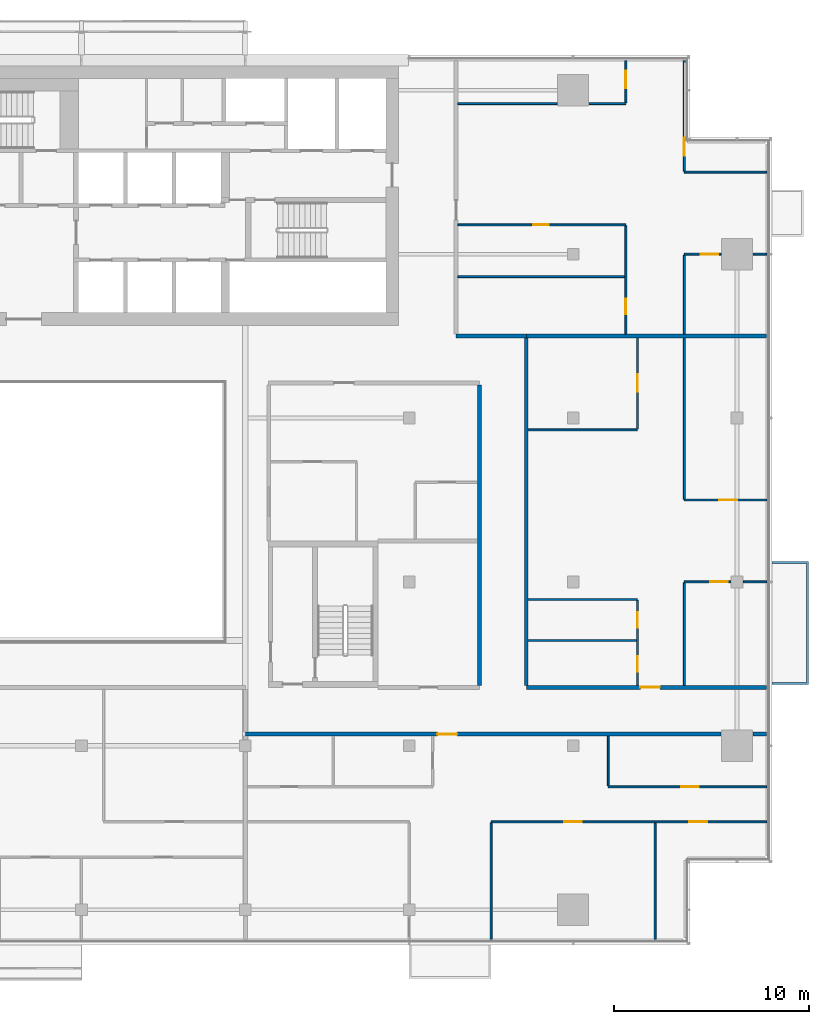
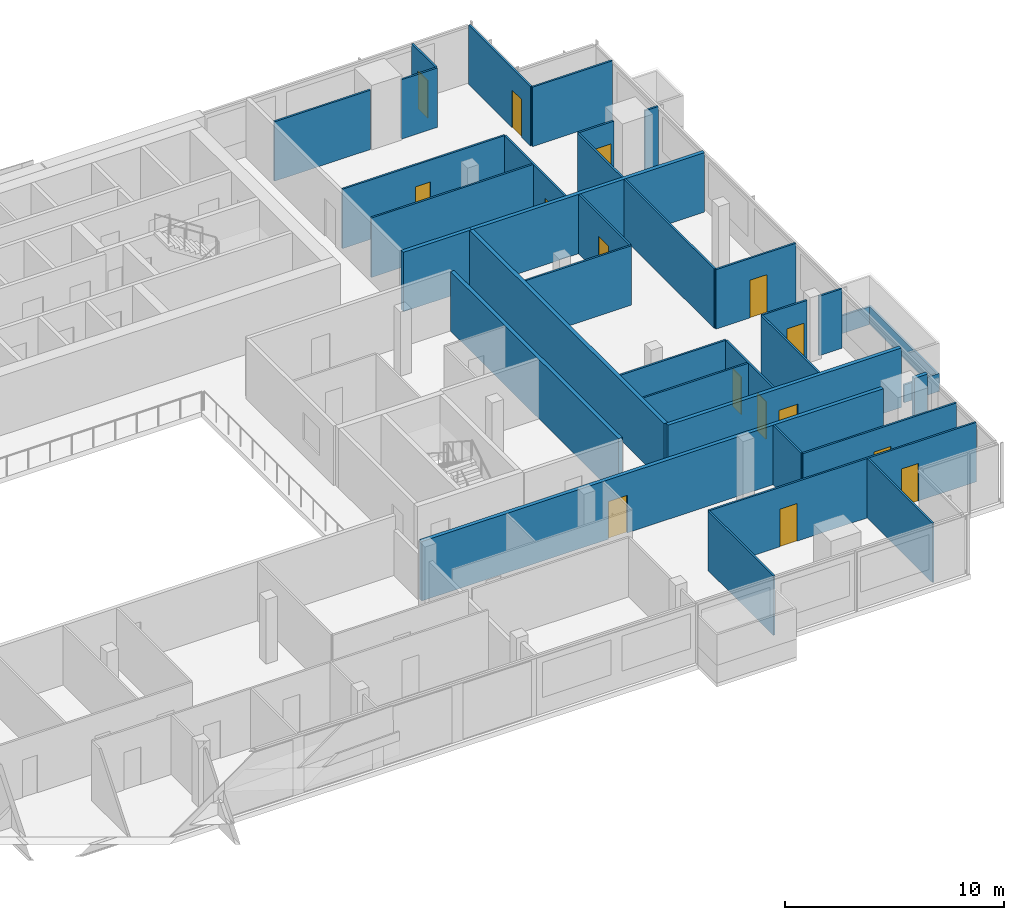
# One storey, part 23 of 26: 34 walls, 15 doors, 15 openings.
"""IFC4 building model written with IfcOpenShell, lengths in metres."""

from ifc_helpers import new_model, si_unit, direction, frame, frame_2d, origin, place, context, subcontext, project, spatial, polyline, rectangle, outline, extrude, material, layer, layer_set, type_object, element, fill, save


model = new_model("IFC4")

# Units and contexts
model_context = context("Model", 3, precision=1e-05, world=origin(), true_north=direction((0.0, 1.0)))
body_context = subcontext(model_context, "Body", "Model", "MODEL_VIEW")
ifc_project = project(units=[si_unit("LENGTHUNIT", "METRE"), si_unit("AREAUNIT", "SQUARE_METRE"), si_unit("VOLUMEUNIT", "CUBIC_METRE"), si_unit("PLANEANGLEUNIT", "RADIAN"), si_unit("MASSUNIT", "GRAM", prefix="KILO")], contexts=[model_context])

# Site, building, storey
site_placement = place(None, origin())
site = spatial("IfcSite", under=ifc_project, at=site_placement, CompositionType="ELEMENT")
building_placement = place(site_placement, origin())
building = spatial("IfcBuilding", under=site, at=building_placement, Name="Saffron Gate Tower", CompositionType="ELEMENT")
storey_placement = place(building_placement, frame((0.0, 0.0, 230.699951171875)))
storey = spatial("IfcBuildingStorey", under=building, at=storey_placement, Name="L56", CompositionType="ELEMENT", Elevation=230.699951171875)

# Wall, openings, doors
ifc_material_1 = material(Name="Plasterboard on steel studs", Category="steel")
ifc_layer_1 = layer(ifc_material_1, 0.10009765625)
ifc_layer_set_1 = layer_set([ifc_layer_1], Name="PW1 Partition 100")
wall_type_1 = type_object("IfcWallType", Name="PW1 Partition 100", PredefinedType="PARTITIONING", material=ifc_layer_set_1)
wall_1_placement = place(storey_placement, frame((126.919921875, 36.300048828125, 0.0), z_axis=(0.0, 0.0, 1.0), x_axis=(-1.0, 0.0, 0.0)))
wall_1 = element("IfcWall", 1, at=wall_1_placement, inside=storey, type_object=wall_type_1, Name="Partition D3-5", PredefinedType="PARTITIONING", context=body_context, shape_type="SweptSolid", body=[
    extrude(rectangle(XDim=14.119873046875, YDim=0.10009765625, at=frame_2d((7.06005859375, 0.0))), origin(), (0.0, 0.0, 1.0), 3.320068359375),
])
opening_1_placement = place(wall_1_placement, frame((3.0576171875, 0.0, 0.0)))
opening_1 = element("IfcOpeningElement", 2, at=opening_1_placement, cuts=wall_1, Name="Opening D3-23", PredefinedType="OPENING", context=body_context, shape_type="SweptSolid", body=[
    extrude(rectangle(XDim=0.89990234375, YDim=2.10009765625, at=frame_2d((0.449951171875, 1.050048828125))), frame((0.0, 0.06005859375, 0.0), z_axis=(0.0, -1.0, 0.0), x_axis=(1.0, 0.0, 0.0)), (0.0, 0.0, 1.0), 0.1201171875),
])
opening_2_placement = place(wall_1_placement, frame((9.469970703125, 0.0, 0.0)))
opening_2 = element("IfcOpeningElement", 3, at=opening_2_placement, cuts=wall_1, Name="Opening D3-22", PredefinedType="OPENING", context=body_context, shape_type="SweptSolid", body=[
    extrude(rectangle(XDim=0.89990234375, YDim=2.10009765625, at=frame_2d((0.449951171875, 1.050048828125))), frame((0.0, 0.06005859375, 0.0), z_axis=(0.0, -1.0, 0.0), x_axis=(1.0, 0.0, 0.0)), (0.0, 0.0, 1.0), 0.1201171875),
])
ifc_material_2 = material(Name="Timber door set", Category="wood")
door_type_1 = type_object("IfcDoorType", Name="RD1 Room door 900x2100", OperationType="NOTDEFINED", PredefinedType="DOOR", material=ifc_material_2)
door_1_placement = place(opening_1_placement, origin())
door_1 = element("IfcDoor", 4, at=door_1_placement, inside=storey, type_object=door_type_1, Name="Door D3-23", OperationType="SINGLE_SWING_RIGHT", OverallHeight=2.10009765625, OverallWidth=0.89990234375, PredefinedType="DOOR", context=body_context, shape_type="SweptSolid", body=[
    extrude(rectangle(XDim=0.89990234375, YDim=2.10009765625, at=frame_2d((0.449951171875, 1.050048828125))), frame((0.0, 0.02490234375, 0.0), z_axis=(0.0, -1.0, 0.0), x_axis=(1.0, 0.0, 0.0)), (0.0, 0.0, 1.0), 0.050048828125),
])
fill(opening_1, door_1)
door_2_placement = place(opening_2_placement, origin())
door_2 = element("IfcDoor", 5, at=door_2_placement, inside=storey, type_object=door_type_1, Name="Door D3-22", OperationType="SINGLE_SWING_RIGHT", OverallHeight=2.10009765625, OverallWidth=0.89990234375, PredefinedType="DOOR", context=body_context, shape_type="SweptSolid", body=[
    extrude(rectangle(XDim=0.89990234375, YDim=2.10009765625, at=frame_2d((0.449951171875, 1.050048828125))), frame((0.0, 0.02490234375, 0.0), z_axis=(0.0, -1.0, 0.0), x_axis=(1.0, 0.0, 0.0)), (0.0, 0.0, 1.0), 0.050048828125),
])
fill(opening_2, door_2)

# Wall, opening, door
wall_2_placement = place(storey_placement, frame((118.800048828125, 38.10009765625, 0.0), z_axis=(0.0, 0.0, 1.0), x_axis=(1.0, 0.0, 0.0)))
wall_2 = element("IfcWall", 6, at=wall_2_placement, inside=storey, type_object=wall_type_1, Name="Partition D3-7", PredefinedType="PARTITIONING", context=body_context, shape_type="SweptSolid", body=[
    extrude(rectangle(XDim=8.119873046875, YDim=0.10009765625, at=frame_2d((4.06005859375, 0.0))), origin(), (0.0, 0.0, 1.0), 3.320068359375),
])
opening_3_placement = place(wall_2_placement, frame((3.75, 0.0, 0.0)))
opening_3 = element("IfcOpeningElement", 7, at=opening_3_placement, cuts=wall_2, Name="Opening D3-24", PredefinedType="OPENING", context=body_context, shape_type="SweptSolid", body=[
    extrude(rectangle(XDim=0.89990234375, YDim=2.10009765625, at=frame_2d((0.449951171875, 1.050048828125))), frame((0.0, 0.06005859375, 0.0), z_axis=(0.0, -1.0, 0.0), x_axis=(1.0, 0.0, 0.0)), (0.0, 0.0, 1.0), 0.1201171875),
])
door_3_placement = place(opening_3_placement, origin())
door_3 = element("IfcDoor", 8, at=door_3_placement, inside=storey, type_object=door_type_1, Name="Door D3-24", OperationType="SINGLE_SWING_RIGHT", OverallHeight=2.10009765625, OverallWidth=0.89990234375, PredefinedType="DOOR", context=body_context, shape_type="SweptSolid", body=[
    extrude(rectangle(XDim=0.89990234375, YDim=2.10009765625, at=frame_2d((0.449951171875, 1.050048828125))), frame((0.0, 0.02490234375, 0.0), z_axis=(0.0, -1.0, 0.0), x_axis=(1.0, 0.0, 0.0)), (0.0, 0.0, 1.0), 0.050048828125),
])
fill(opening_3, door_3)

# Walls
wall_3_placement = place(storey_placement, frame((114.699951171875, 45.60009765625, 0.0), z_axis=(0.0, 0.0, 1.0), x_axis=(1.0, 0.0, 0.0)))
element("IfcWall", 9, at=wall_3_placement, inside=storey, type_object=wall_type_1, Name="Partition D3-17", PredefinedType="PARTITIONING", context=body_context, shape_type="SweptSolid", body=[
    extrude(rectangle(XDim=5.550048828125, YDim=0.10009765625, at=frame_2d((2.77490234375, 0.0))), origin(), (0.0, 0.0, 1.0), 3.320068359375),
])
wall_4_placement = place(storey_placement, frame((114.699951171875, 47.699951171875, 0.0), z_axis=(0.0, 0.0, 1.0), x_axis=(1.0, 0.0, 0.0)))
element("IfcWall", 10, at=wall_4_placement, inside=storey, type_object=wall_type_1, Name="Partition D3-18", PredefinedType="PARTITIONING", context=body_context, shape_type="SweptSolid", body=[
    extrude(rectangle(XDim=5.60009765625, YDim=0.10009765625, at=frame_2d((2.800048828125, 0.0))), origin(), (0.0, 0.0, 1.0), 3.320068359375),
])

# Wall, opening, door
wall_5_placement = place(storey_placement, frame((125.080078125, 48.60009765625, 0.0), z_axis=(0.0, 0.0, 1.0), x_axis=(-1.0, 0.0, 0.0)))
wall_5 = element("IfcWall", 11, at=wall_5_placement, inside=storey, type_object=wall_type_1, Name="Partition D3-21", PredefinedType="PARTITIONING", context=body_context, shape_type="SweptSolid", body=[
    extrude(rectangle(XDim=2.380126953125, YDim=0.10009765625, at=frame_2d((1.18994140625, 0.0))), origin(), (0.0, 0.0, 1.0), 3.320068359375),
])
opening_4_placement = place(wall_5_placement, frame((0.14990234375, 0.0, 0.0)))
opening_4 = element("IfcOpeningElement", 12, at=opening_4_placement, cuts=wall_5, Name="Opening D3-31", PredefinedType="OPENING", context=body_context, shape_type="SweptSolid", body=[
    extrude(rectangle(XDim=0.89990234375, YDim=2.10009765625, at=frame_2d((0.449951171875, 1.050048828125))), frame((0.0, 0.06005859375, 0.0), z_axis=(0.0, -1.0, 0.0), x_axis=(1.0, 0.0, 0.0)), (0.0, 0.0, 1.0), 0.1201171875),
])
door_4_placement = place(opening_4_placement, origin())
door_4 = element("IfcDoor", 13, at=door_4_placement, inside=storey, type_object=door_type_1, Name="Door D3-31", OperationType="SINGLE_SWING_LEFT", OverallHeight=2.10009765625, OverallWidth=0.89990234375, PredefinedType="DOOR", context=body_context, shape_type="SweptSolid", body=[
    extrude(rectangle(XDim=0.89990234375, YDim=2.10009765625, at=frame_2d((0.449951171875, 1.050048828125))), frame((0.0, 0.02490234375, 0.0), z_axis=(0.0, -1.0, 0.0), x_axis=(1.0, 0.0, 0.0)), (0.0, 0.0, 1.0), 0.050048828125),
])
fill(opening_4, door_4)

# Wall
wall_6_placement = place(storey_placement, frame((125.719970703125, 48.60009765625, 0.0), z_axis=(0.0, 0.0, 1.0), x_axis=(1.0, 0.0, 0.0)))
element("IfcWall", 14, at=wall_6_placement, inside=storey, type_object=wall_type_1, Name="Partition D3-22", PredefinedType="PARTITIONING", context=body_context, shape_type="SweptSolid", body=[
    extrude(rectangle(XDim=1.199951171875, YDim=0.10009765625, at=frame_2d((0.60009765625, 0.0))), origin(), (0.0, 0.0, 1.0), 3.320068359375),
])

# Wall, opening, door
wall_7_placement = place(storey_placement, frame((122.699951171875, 52.800048828125, 0.0), z_axis=(0.0, 0.0, 1.0), x_axis=(1.0, 0.0, 0.0)))
wall_7 = element("IfcWall", 15, at=wall_7_placement, inside=storey, type_object=wall_type_1, Name="Partition D3-28", PredefinedType="PARTITIONING", context=body_context, shape_type="SweptSolid", body=[
    extrude(rectangle(XDim=4.219970703125, YDim=0.10009765625, at=frame_2d((2.10986328125, 0.0))), origin(), (0.0, 0.0, 1.0), 3.320068359375),
])
opening_5_placement = place(wall_7_placement, frame((1.800048828125, 0.0, 0.0)))
opening_5 = element("IfcOpeningElement", 16, at=opening_5_placement, cuts=wall_7, Name="Opening D3-32", PredefinedType="OPENING", context=body_context, shape_type="SweptSolid", body=[
    extrude(rectangle(XDim=0.89990234375, YDim=2.10009765625, at=frame_2d((0.449951171875, 1.050048828125))), frame((0.0, 0.06005859375, 0.0), z_axis=(0.0, -1.0, 0.0), x_axis=(1.0, 0.0, 0.0)), (0.0, 0.0, 1.0), 0.1201171875),
])
door_5_placement = place(opening_5_placement, origin())
door_5 = element("IfcDoor", 17, at=door_5_placement, inside=storey, type_object=door_type_1, Name="Door D3-32", OperationType="SINGLE_SWING_RIGHT", OverallHeight=2.10009765625, OverallWidth=0.89990234375, PredefinedType="DOOR", context=body_context, shape_type="SweptSolid", body=[
    extrude(rectangle(XDim=0.89990234375, YDim=2.10009765625, at=frame_2d((0.449951171875, 1.050048828125))), frame((0.0, 0.02490234375, 0.0), z_axis=(0.0, -1.0, 0.0), x_axis=(1.0, 0.0, 0.0)), (0.0, 0.0, 1.0), 0.050048828125),
])
fill(opening_5, door_5)

# Walls
wall_8_placement = place(storey_placement, frame((114.699951171875, 56.39306640625, 0.0), z_axis=(0.0, 0.0, 1.0), x_axis=(1.0, 0.0, 0.0)))
element("IfcWall", 18, at=wall_8_placement, inside=storey, type_object=wall_type_1, Name="Partition D3-34", PredefinedType="PARTITIONING", context=body_context, shape_type="SweptSolid", body=[
    extrude(rectangle(XDim=5.60009765625, YDim=0.10009765625, at=frame_2d((2.800048828125, 0.0))), origin(), (0.0, 0.0, 1.0), 3.320068359375),
])
wall_9_placement = place(storey_placement, frame((111.10009765625, 64.24609375, 0.0), z_axis=(0.0, 0.0, 1.0), x_axis=(1.0, 0.0, 0.0)))
element("IfcWall", 19, at=wall_9_placement, inside=storey, type_object=wall_type_1, Name="Partition D3-42", PredefinedType="PARTITIONING", context=body_context, shape_type="SweptSolid", body=[
    extrude(rectangle(XDim=8.5498046875, YDim=0.10009765625, at=frame_2d((4.27490234375, 0.0))), origin(), (0.0, 0.0, 1.0), 3.320068359375),
])

# Wall, opening, door
wall_10_placement = place(storey_placement, frame((124.580078125, 65.39990234375, 0.0), z_axis=(0.0, 0.0, 1.0), x_axis=(-1.0, 0.0, 0.0)))
wall_10 = element("IfcWall", 20, at=wall_10_placement, inside=storey, type_object=wall_type_1, Name="Partition D3-43", PredefinedType="PARTITIONING", context=body_context, shape_type="SweptSolid", body=[
    extrude(rectangle(XDim=1.880126953125, YDim=0.10009765625, at=frame_2d((0.93994140625, 0.0))), origin(), (0.0, 0.0, 1.0), 3.320068359375),
])
opening_6_placement = place(wall_10_placement, frame((0.14990234375, 0.0, 0.0)))
opening_6 = element("IfcOpeningElement", 21, at=opening_6_placement, cuts=wall_10, Name="Opening D3-34", PredefinedType="OPENING", context=body_context, shape_type="SweptSolid", body=[
    extrude(rectangle(XDim=0.89990234375, YDim=2.10009765625, at=frame_2d((0.449951171875, 1.050048828125))), frame((0.0, 0.06005859375, 0.0), z_axis=(0.0, -1.0, 0.0), x_axis=(1.0, 0.0, 0.0)), (0.0, 0.0, 1.0), 0.1201171875),
])
door_6_placement = place(opening_6_placement, origin())
door_6 = element("IfcDoor", 22, at=door_6_placement, inside=storey, type_object=door_type_1, Name="Door D3-34", OperationType="SINGLE_SWING_LEFT", OverallHeight=2.10009765625, OverallWidth=0.89990234375, PredefinedType="DOOR", context=body_context, shape_type="SweptSolid", body=[
    extrude(rectangle(XDim=0.89990234375, YDim=2.10009765625, at=frame_2d((0.449951171875, 1.050048828125))), frame((0.0, 0.02490234375, 0.0), z_axis=(0.0, -1.0, 0.0), x_axis=(1.0, 0.0, 0.0)), (0.0, 0.0, 1.0), 0.050048828125),
])
fill(opening_6, door_6)

# Wall
wall_11_placement = place(storey_placement, frame((126.219970703125, 65.39990234375, 0.0), z_axis=(0.0, 0.0, 1.0), x_axis=(1.0, 0.0, 0.0)))
element("IfcWall", 23, at=wall_11_placement, inside=storey, type_object=wall_type_1, Name="Partition D3-44", PredefinedType="PARTITIONING", context=body_context, shape_type="SweptSolid", body=[
    extrude(rectangle(XDim=0.699951171875, YDim=0.10009765625, at=frame_2d((0.35009765625, 0.0))), origin(), (0.0, 0.0, 1.0), 3.320068359375),
])

# Wall, opening, door
wall_12_placement = place(storey_placement, frame((119.699951171875, 66.89990234375, 0.0), z_axis=(0.0, 0.0, 1.0), x_axis=(-1.0, 0.0, 0.0)))
wall_12 = element("IfcWall", 24, at=wall_12_placement, inside=storey, type_object=wall_type_1, Name="Partition D3-46", PredefinedType="PARTITIONING", context=body_context, shape_type="SweptSolid", body=[
    extrude(rectangle(XDim=8.599853515625, YDim=0.10009765625, at=frame_2d((4.2998046875, 0.0))), origin(), (0.0, 0.0, 1.0), 3.320068359375),
])
opening_7_placement = place(wall_12_placement, frame((3.949951171875, 0.0, 0.0)))
opening_7 = element("IfcOpeningElement", 25, at=opening_7_placement, cuts=wall_12, Name="Opening D3-51", PredefinedType="OPENING", context=body_context, shape_type="SweptSolid", body=[
    extrude(rectangle(XDim=0.800048828125, YDim=2.10009765625, at=frame_2d((0.39990234375, 1.050048828125))), frame((0.0, 0.06005859375, 0.0), z_axis=(0.0, -1.0, 0.0), x_axis=(1.0, 0.0, 0.0)), (0.0, 0.0, 1.0), 0.1201171875),
])
door_type_2 = type_object("IfcDoorType", Name="RD2 Bathroom door 800x2100", OperationType="NOTDEFINED", PredefinedType="DOOR", material=ifc_material_2)
door_7_placement = place(opening_7_placement, origin())
door_7 = element("IfcDoor", 26, at=door_7_placement, inside=storey, type_object=door_type_2, Name="Door D3-51", OperationType="SINGLE_SWING_RIGHT", OverallHeight=2.10009765625, OverallWidth=0.800048828125, PredefinedType="DOOR", context=body_context, shape_type="SweptSolid", body=[
    extrude(rectangle(XDim=0.800048828125, YDim=2.10009765625, at=frame_2d((0.39990234375, 1.050048828125))), frame((0.0, 0.02490234375, 0.0), z_axis=(0.0, -1.0, 0.0), x_axis=(1.0, 0.0, 0.0)), (0.0, 0.0, 1.0), 0.050048828125),
])
fill(opening_7, door_7)

# Walls
wall_13_placement = place(storey_placement, frame((122.699951171875, 69.60009765625, 0.0), z_axis=(0.0, 0.0, 1.0), x_axis=(1.0, 0.0, 0.0)))
element("IfcWall", 27, at=wall_13_placement, inside=storey, type_object=wall_type_1, Name="Partition D3-49", PredefinedType="PARTITIONING", context=body_context, shape_type="SweptSolid", body=[
    extrude(rectangle(XDim=4.219970703125, YDim=0.10009765625, at=frame_2d((2.10986328125, 0.0))), origin(), (0.0, 0.0, 1.0), 3.320068359375),
])
wall_14_placement = place(storey_placement, frame((111.10009765625, 73.112548828125, 0.0), z_axis=(0.0, 0.0, 1.0), x_axis=(1.0, 0.0, 0.0)))
element("IfcWall", 28, at=wall_14_placement, inside=storey, type_object=wall_type_1, Name="Partition D3-53", PredefinedType="PARTITIONING", context=body_context, shape_type="SweptSolid", body=[
    extrude(rectangle(XDim=5.079833984375, YDim=0.10009765625, at=frame_2d((2.5400390625, 0.0))), origin(), (0.0, 0.0, 1.0), 3.320068359375),
])
wall_15_placement = place(storey_placement, frame((117.820068359375, 73.112548828125, 0.0), z_axis=(0.0, 0.0, 1.0), x_axis=(1.0, 0.0, 0.0)))
element("IfcWall", 29, at=wall_15_placement, inside=storey, type_object=wall_type_1, Name="Partition D3-54", PredefinedType="PARTITIONING", context=body_context, shape_type="SweptSolid", body=[
    extrude(rectangle(XDim=1.8798828125, YDim=0.10009765625, at=frame_2d((0.93994140625, 0.0))), origin(), (0.0, 0.0, 1.0), 3.320068359375),
])
wall_16_placement = place(storey_placement, frame((112.800048828125, 36.25, 0.0), z_axis=(0.0, 0.0, 1.0), x_axis=(0.0, -1.0, 0.0)))
element("IfcWall", 30, at=wall_16_placement, inside=storey, type_object=wall_type_1, Name="Partition D3-104", PredefinedType="PARTITIONING", context=body_context, shape_type="SweptSolid", body=[
    extrude(rectangle(XDim=5.969970703125, YDim=0.10009765625, at=frame_2d((2.98486328125, 0.0))), origin(), (0.0, 0.0, 1.0), 3.320068359375),
])
wall_17_placement = place(storey_placement, frame((118.800048828125, 40.699951171875, 0.0), z_axis=(0.0, 0.0, 1.0), x_axis=(0.0, -1.0, 0.0)))
element("IfcWall", 31, at=wall_17_placement, inside=storey, type_object=wall_type_1, Name="Partition D3-106", PredefinedType="PARTITIONING", context=body_context, shape_type="SweptSolid", body=[
    extrude(rectangle(XDim=2.550048828125, YDim=0.10009765625, at=frame_2d((1.27490234375, 0.0))), origin(), (0.0, 0.0, 1.0), 3.320068359375),
])

# Wall, opening, door
wall_18_placement = place(storey_placement, frame((119.699951171875, 61.300048828125, 0.0), z_axis=(0.0, 0.0, 1.0), x_axis=(0.0, 1.0, 0.0)))
wall_18 = element("IfcWall", 32, at=wall_18_placement, inside=storey, type_object=wall_type_1, Name="Partition D3-107", PredefinedType="PARTITIONING", context=body_context, shape_type="SweptSolid", body=[
    extrude(rectangle(XDim=5.550048828125, YDim=0.10009765625, at=frame_2d((2.77490234375, 0.0))), origin(), (0.0, 0.0, 1.0), 3.320068359375),
])
opening_8_placement = place(wall_18_placement, frame((1.02294921875, 0.0, 0.0)))
opening_8 = element("IfcOpeningElement", 33, at=opening_8_placement, cuts=wall_18, Name="Opening D3-50", PredefinedType="OPENING", context=body_context, shape_type="SweptSolid", body=[
    extrude(rectangle(XDim=0.800048828125, YDim=2.10009765625, at=frame_2d((0.39990234375, 1.050048828125))), frame((0.0, 0.06005859375, 0.0), z_axis=(0.0, -1.0, 0.0), x_axis=(1.0, 0.0, 0.0)), (0.0, 0.0, 1.0), 0.1201171875),
])
door_8_placement = place(opening_8_placement, origin())
door_8 = element("IfcDoor", 34, at=door_8_placement, inside=storey, type_object=door_type_2, Name="Door D3-50", OperationType="SINGLE_SWING_LEFT", OverallHeight=2.10009765625, OverallWidth=0.800048828125, PredefinedType="DOOR", context=body_context, shape_type="SweptSolid", body=[
    extrude(rectangle(XDim=0.800048828125, YDim=2.10009765625, at=frame_2d((0.39990234375, 1.050048828125))), frame((0.0, 0.02490234375, 0.0), z_axis=(0.0, -1.0, 0.0), x_axis=(1.0, 0.0, 0.0)), (0.0, 0.0, 1.0), 0.050048828125),
])
fill(opening_8, door_8)

wall_19_placement = place(storey_placement, frame((119.699951171875, 73.16259765625, 0.0), z_axis=(0.0, 0.0, 1.0), x_axis=(0.0, 1.0, 0.0)))
wall_19 = element("IfcWall", 35, at=wall_19_placement, inside=storey, type_object=wall_type_1, Name="Partition D3-108", PredefinedType="PARTITIONING", context=body_context, shape_type="SweptSolid", body=[
    extrude(rectangle(XDim=2.157470703125, YDim=0.10009765625, at=frame_2d((1.07861328125, 0.0))), origin(), (0.0, 0.0, 1.0), 3.320068359375),
])
opening_9_placement = place(wall_19_placement, frame((0.74365234375, 0.0, 0.0)))
opening_9 = element("IfcOpeningElement", 36, at=opening_9_placement, cuts=wall_19, Name="Opening D3-36", PredefinedType="OPENING", context=body_context, shape_type="SweptSolid", body=[
    extrude(rectangle(XDim=0.89990234375, YDim=2.10009765625, at=frame_2d((0.449951171875, 1.050048828125))), frame((0.0, 0.06005859375, 0.0), z_axis=(0.0, -1.0, 0.0), x_axis=(1.0, 0.0, 0.0)), (0.0, 0.0, 1.0), 0.1201171875),
])
door_9_placement = place(opening_9_placement, origin())
door_9 = element("IfcDoor", 37, at=door_9_placement, inside=storey, type_object=door_type_1, Name="Door D3-36", OperationType="SINGLE_SWING_RIGHT", OverallHeight=2.10009765625, OverallWidth=0.89990234375, PredefinedType="DOOR", context=body_context, shape_type="SweptSolid", body=[
    extrude(rectangle(XDim=0.89990234375, YDim=2.10009765625, at=frame_2d((0.449951171875, 1.050048828125))), frame((0.0, 0.02490234375, 0.0), z_axis=(0.0, -1.0, 0.0), x_axis=(1.0, 0.0, 0.0)), (0.0, 0.0, 1.0), 0.050048828125),
])
fill(opening_9, door_9)

# Wall, openings, doors
wall_20_placement = place(storey_placement, frame((120.300048828125, 43.300048828125, 0.0), z_axis=(0.0, 0.0, 1.0), x_axis=(0.0, 1.0, 0.0)))
wall_20 = element("IfcWall", 38, at=wall_20_placement, inside=storey, type_object=wall_type_1, Name="Partition D3-109", PredefinedType="PARTITIONING", context=body_context, shape_type="SweptSolid", body=[
    extrude(rectangle(XDim=4.349853515625, YDim=0.10009765625, at=frame_2d((2.1748046875, 0.0))), origin(), (0.0, 0.0, 1.0), 3.320068359375),
])
opening_10_placement = place(wall_20_placement, frame((0.699951171875, 0.0, 0.0)))
opening_10 = element("IfcOpeningElement", 39, at=opening_10_placement, cuts=wall_20, Name="Opening D3-48", PredefinedType="OPENING", context=body_context, shape_type="SweptSolid", body=[
    extrude(rectangle(XDim=0.800048828125, YDim=2.10009765625, at=frame_2d((0.39990234375, 1.050048828125))), frame((0.0, 0.06005859375, 0.0), z_axis=(0.0, -1.0, 0.0), x_axis=(1.0, 0.0, 0.0)), (0.0, 0.0, 1.0), 0.1201171875),
])
opening_11_placement = place(wall_20_placement, frame((2.949951171875, 0.0, 0.0)))
opening_11 = element("IfcOpeningElement", 40, at=opening_11_placement, cuts=wall_20, Name="Opening D3-49", PredefinedType="OPENING", context=body_context, shape_type="SweptSolid", body=[
    extrude(rectangle(XDim=0.800048828125, YDim=2.10009765625, at=frame_2d((0.39990234375, 1.050048828125))), frame((0.0, 0.06005859375, 0.0), z_axis=(0.0, -1.0, 0.0), x_axis=(1.0, 0.0, 0.0)), (0.0, 0.0, 1.0), 0.1201171875),
])
door_10_placement = place(opening_10_placement, origin())
door_10 = element("IfcDoor", 41, at=door_10_placement, inside=storey, type_object=door_type_2, Name="Door D3-48", OperationType="SINGLE_SWING_LEFT", OverallHeight=2.10009765625, OverallWidth=0.800048828125, PredefinedType="DOOR", context=body_context, shape_type="SweptSolid", body=[
    extrude(rectangle(XDim=0.800048828125, YDim=2.10009765625, at=frame_2d((0.39990234375, 1.050048828125))), frame((0.0, 0.02490234375, 0.0), z_axis=(0.0, -1.0, 0.0), x_axis=(1.0, 0.0, 0.0)), (0.0, 0.0, 1.0), 0.050048828125),
])
fill(opening_10, door_10)
door_11_placement = place(opening_11_placement, origin())
door_11 = element("IfcDoor", 42, at=door_11_placement, inside=storey, type_object=door_type_2, Name="Door D3-49", OperationType="SINGLE_SWING_RIGHT", OverallHeight=2.10009765625, OverallWidth=0.800048828125, PredefinedType="DOOR", context=body_context, shape_type="SweptSolid", body=[
    extrude(rectangle(XDim=0.800048828125, YDim=2.10009765625, at=frame_2d((0.39990234375, 1.050048828125))), frame((0.0, 0.02490234375, 0.0), z_axis=(0.0, -1.0, 0.0), x_axis=(1.0, 0.0, 0.0)), (0.0, 0.0, 1.0), 0.050048828125),
])
fill(opening_11, door_11)

# Wall, opening, door
wall_21_placement = place(storey_placement, frame((120.300048828125, 56.443115234375, 0.0), z_axis=(0.0, 0.0, 1.0), x_axis=(0.0, 1.0, 0.0)))
wall_21 = element("IfcWall", 43, at=wall_21_placement, inside=storey, type_object=wall_type_1, Name="Partition D3-110", PredefinedType="PARTITIONING", context=body_context, shape_type="SweptSolid", body=[
    extrude(rectangle(XDim=4.656982421875, YDim=0.10009765625, at=frame_2d((2.32861328125, 0.0))), origin(), (0.0, 0.0, 1.0), 3.320068359375),
])
opening_12_placement = place(wall_21_placement, frame((1.903564453125, 0.0, 0.0)))
opening_12 = element("IfcOpeningElement", 44, at=opening_12_placement, cuts=wall_21, Name="Opening D3-33", PredefinedType="OPENING", context=body_context, shape_type="SweptSolid", body=[
    extrude(rectangle(XDim=0.89990234375, YDim=2.10009765625, at=frame_2d((0.449951171875, 1.050048828125))), frame((0.0, 0.06005859375, 0.0), z_axis=(0.0, -1.0, 0.0), x_axis=(1.0, 0.0, 0.0)), (0.0, 0.0, 1.0), 0.1201171875),
])
door_12_placement = place(opening_12_placement, origin())
door_12 = element("IfcDoor", 45, at=door_12_placement, inside=storey, type_object=door_type_1, Name="Door D3-33", OperationType="SINGLE_SWING_RIGHT", OverallHeight=2.10009765625, OverallWidth=0.89990234375, PredefinedType="DOOR", context=body_context, shape_type="SweptSolid", body=[
    extrude(rectangle(XDim=0.89990234375, YDim=2.10009765625, at=frame_2d((0.449951171875, 1.050048828125))), frame((0.0, 0.02490234375, 0.0), z_axis=(0.0, -1.0, 0.0), x_axis=(1.0, 0.0, 0.0)), (0.0, 0.0, 1.0), 0.050048828125),
])
fill(opening_12, door_12)

# Walls
wall_22_placement = place(storey_placement, frame((121.199951171875, 36.25, 0.0), z_axis=(0.0, 0.0, 1.0), x_axis=(0.0, -1.0, 0.0)))
element("IfcWall", 46, at=wall_22_placement, inside=storey, type_object=wall_type_1, Name="Partition D3-111", PredefinedType="PARTITIONING", context=body_context, shape_type="SweptSolid", body=[
    extrude(rectangle(XDim=5.969970703125, YDim=0.10009765625, at=frame_2d((2.98486328125, 0.0))), origin(), (0.0, 0.0, 1.0), 3.320068359375),
])
wall_23_placement = place(storey_placement, frame((122.699951171875, 48.550048828125, 0.0), z_axis=(0.0, 0.0, 1.0), x_axis=(0.0, -1.0, 0.0)))
element("IfcWall", 47, at=wall_23_placement, inside=storey, type_object=wall_type_1, Name="Partition D3-112", PredefinedType="PARTITIONING", context=body_context, shape_type="SweptSolid", body=[
    extrude(rectangle(XDim=5.25, YDim=0.10009765625, at=frame_2d((2.625, 0.0))), origin(), (0.0, 0.0, 1.0), 3.320068359375),
])

# Wall, opening, door
wall_24_placement = place(storey_placement, frame((122.699951171875, 75.320068359375, 0.0), z_axis=(0.0, 0.0, 1.0), x_axis=(0.0, -1.0, 0.0)))
wall_24 = element("IfcWall", 48, at=wall_24_placement, inside=storey, type_object=wall_type_1, Name="Partition D3-113", PredefinedType="PARTITIONING", context=body_context, shape_type="SweptSolid", body=[
    extrude(rectangle(XDim=5.670166015625, YDim=0.10009765625, at=frame_2d((2.8349609375, 0.0))), origin(), (0.0, 0.0, 1.0), 3.320068359375),
])
opening_13_placement = place(wall_24_placement, frame((3.96630859375, 0.0, 0.0)))
opening_13 = element("IfcOpeningElement", 49, at=opening_13_placement, cuts=wall_24, Name="Opening D3-35", PredefinedType="OPENING", context=body_context, shape_type="SweptSolid", body=[
    extrude(rectangle(XDim=0.89990234375, YDim=2.10009765625, at=frame_2d((0.449951171875, 1.050048828125))), frame((0.0, 0.06005859375, 0.0), z_axis=(0.0, -1.0, 0.0), x_axis=(1.0, 0.0, 0.0)), (0.0, 0.0, 1.0), 0.1201171875),
])
door_13_placement = place(opening_13_placement, origin())
door_13 = element("IfcDoor", 50, at=door_13_placement, inside=storey, type_object=door_type_1, Name="Door D3-35", OperationType="SINGLE_SWING_RIGHT", OverallHeight=2.10009765625, OverallWidth=0.89990234375, PredefinedType="DOOR", context=body_context, shape_type="SweptSolid", body=[
    extrude(rectangle(XDim=0.89990234375, YDim=2.10009765625, at=frame_2d((0.449951171875, 1.050048828125))), frame((0.0, 0.02490234375, 0.0), z_axis=(0.0, -1.0, 0.0), x_axis=(1.0, 0.0, 0.0)), (0.0, 0.0, 1.0), 0.050048828125),
])
fill(opening_13, door_13)

# Walls
wall_25_placement = place(storey_placement, frame((122.699951171875, 61.10009765625, 0.0), z_axis=(0.0, 0.0, 1.0), x_axis=(0.0, -1.0, 0.0)))
element("IfcWall", 51, at=wall_25_placement, inside=storey, type_object=wall_type_1, Name="Partition D3-118", PredefinedType="PARTITIONING", context=body_context, shape_type="SweptSolid", body=[
    extrude(rectangle(XDim=8.25, YDim=0.10009765625, at=frame_2d((4.125, 0.0))), origin(), (0.0, 0.0, 1.0), 3.320068359375),
])
wall_26_placement = place(storey_placement, frame((122.699951171875, 65.35009765625, 0.0), z_axis=(0.0, 0.0, 1.0), x_axis=(0.0, -1.0, 0.0)))
element("IfcWall", 52, at=wall_26_placement, inside=storey, type_object=wall_type_1, Name="Partition D3-119", PredefinedType="PARTITIONING", context=body_context, shape_type="SweptSolid", body=[
    extrude(rectangle(XDim=4.050048828125, YDim=0.10009765625, at=frame_2d((2.02490234375, 0.0))), origin(), (0.0, 0.0, 1.0), 3.320068359375),
])
ifc_material_3 = material(Name="Clay brick masonry, rendered", Category="masonry")
ifc_layer_2 = layer(ifc_material_3, 0.199951171875)
ifc_layer_set_2 = layer_set([ifc_layer_2], Name="PW2 Demising wall 200")
wall_type_2 = type_object("IfcWallType", Name="PW2 Demising wall 200", PredefinedType="PARTITIONING", material=ifc_layer_set_2)
wall_27_placement = place(storey_placement, frame((114.60009765625, 61.199951171875, 0.0), z_axis=(0.0, 0.0, 1.0), x_axis=(1.0, 0.0, 0.0)))
element("IfcWall", 53, at=wall_27_placement, inside=storey, type_object=wall_type_2, Name="Wall D3-41", PredefinedType="PARTITIONING", context=body_context, shape_type="SweptSolid", body=[
    extrude(rectangle(XDim=12.31982421875, YDim=0.199951171875, at=frame_2d((6.159912109375, 0.0))), origin(), (0.0, 0.0, 1.0), 3.320068359375),
])

# Wall, opening, door
ifc_layer_3 = layer(ifc_material_3, 0.199951171875)
ifc_layer_set_3 = layer_set([ifc_layer_3], Name="PW3 Corridor wall 200")
wall_type_3 = type_object("IfcWallType", Name="PW3 Corridor wall 200", PredefinedType="PARTITIONING", material=ifc_layer_set_3)
wall_28_placement = place(storey_placement, frame((124.580078125, 40.800048828125, 0.0), z_axis=(0.0, 0.0, 1.0), x_axis=(-1.0, 0.0, 0.0)))
wall_28 = element("IfcWall", 54, at=wall_28_placement, inside=storey, type_object=wall_type_3, Name="Wall D3-10", PredefinedType="PARTITIONING", context=body_context, shape_type="SweptSolid", body=[
    extrude(rectangle(XDim=24.380126953125, YDim=0.199951171875, at=frame_2d((12.18994140625, 0.0))), origin(), (0.0, 0.0, 1.0), 3.320068359375),
])
opening_14_placement = place(wall_28_placement, frame((13.530029296875, 0.0, 0.0)))
opening_14 = element("IfcOpeningElement", 55, at=opening_14_placement, cuts=wall_28, Name="Opening D3-3", PredefinedType="OPENING", context=body_context, shape_type="SweptSolid", body=[
    extrude(rectangle(XDim=1.0, YDim=2.10009765625, at=frame_2d((0.5, 1.050048828125))), frame((0.0, 0.10986328125, 0.0), z_axis=(0.0, -1.0, 0.0), x_axis=(1.0, 0.0, 0.0)), (0.0, 0.0, 1.0), 0.219970703125),
])
ifc_material_4 = material(Name="Timber fire door set", Category="wood")
door_type_3 = type_object("IfcDoorType", Name="FD1 Flat entry door 1000x2100", OperationType="NOTDEFINED", PredefinedType="DOOR", material=ifc_material_4)
door_14_placement = place(opening_14_placement, origin())
door_14 = element("IfcDoor", 56, at=door_14_placement, inside=storey, type_object=door_type_3, Name="Door D3-3", OperationType="SINGLE_SWING_RIGHT", OverallHeight=2.10009765625, OverallWidth=1.0, PredefinedType="DOOR", context=body_context, shape_type="SweptSolid", body=[
    extrude(rectangle(XDim=1.0, YDim=2.10009765625, at=frame_2d((0.5, 1.050048828125))), frame((0.0, 0.02490234375, 0.0), z_axis=(0.0, -1.0, 0.0), x_axis=(1.0, 0.0, 0.0)), (0.0, 0.0, 1.0), 0.050048828125),
])
fill(opening_14, door_14)

# Wall
wall_29_placement = place(storey_placement, frame((126.219970703125, 40.800048828125, 0.0), z_axis=(0.0, 0.0, 1.0), x_axis=(1.0, 0.0, 0.0)))
element("IfcWall", 57, at=wall_29_placement, inside=storey, type_object=wall_type_3, Name="Wall D3-11", PredefinedType="PARTITIONING", context=body_context, shape_type="SweptSolid", body=[
    extrude(rectangle(XDim=0.699951171875, YDim=0.199951171875, at=frame_2d((0.35009765625, 0.0))), origin(), (0.0, 0.0, 1.0), 3.320068359375),
])

# Wall, opening, door
wall_30_placement = place(storey_placement, frame((114.60009765625, 43.199951171875, 0.0), z_axis=(0.0, 0.0, 1.0), x_axis=(1.0, 0.0, 0.0)))
wall_30 = element("IfcWall", 58, at=wall_30_placement, inside=storey, type_object=wall_type_3, Name="Wall D3-16", PredefinedType="PARTITIONING", context=body_context, shape_type="SweptSolid", body=[
    extrude(rectangle(XDim=12.31982421875, YDim=0.199951171875, at=frame_2d((6.159912109375, 0.0))), origin(), (0.0, 0.0, 1.0), 3.320068359375),
])
opening_15_placement = place(wall_30_placement, frame((5.85009765625, 0.0, 0.0)))
opening_15 = element("IfcOpeningElement", 59, at=opening_15_placement, cuts=wall_30, Name="Opening D3-6", PredefinedType="OPENING", context=body_context, shape_type="SweptSolid", body=[
    extrude(rectangle(XDim=1.0, YDim=2.10009765625, at=frame_2d((0.5, 1.050048828125))), frame((0.0, 0.10986328125, 0.0), z_axis=(0.0, -1.0, 0.0), x_axis=(1.0, 0.0, 0.0)), (0.0, 0.0, 1.0), 0.219970703125),
])
door_15_placement = place(opening_15_placement, origin())
door_15 = element("IfcDoor", 60, at=door_15_placement, inside=storey, type_object=door_type_3, Name="Door D3-6", OperationType="SINGLE_SWING_LEFT", OverallHeight=2.10009765625, OverallWidth=1.0, PredefinedType="DOOR", context=body_context, shape_type="SweptSolid", body=[
    extrude(rectangle(XDim=1.0, YDim=2.10009765625, at=frame_2d((0.5, 1.050048828125))), frame((0.0, 0.02490234375, 0.0), z_axis=(0.0, -1.0, 0.0), x_axis=(1.0, 0.0, 0.0)), (0.0, 0.0, 1.0), 0.050048828125),
])
fill(opening_15, door_15)

# Walls
wall_31_placement = place(storey_placement, frame((111.0, 61.199951171875, 0.0), z_axis=(0.0, 0.0, 1.0), x_axis=(1.0, 0.0, 0.0)))
element("IfcWall", 61, at=wall_31_placement, inside=storey, type_object=wall_type_3, Name="Wall D3-39", PredefinedType="PARTITIONING", context=body_context, shape_type="SweptSolid", body=[
    extrude(rectangle(XDim=3.60009765625, YDim=0.199951171875, at=frame_2d((1.800048828125, 0.0))), origin(), (0.0, 0.0, 1.0), 3.320068359375),
])
wall_32_placement = place(storey_placement, frame((112.199951171875, 58.699951171875, 0.0), z_axis=(0.0, 0.0, 1.0), x_axis=(0.0, -1.0, 0.0)))
element("IfcWall", 62, at=wall_32_placement, inside=storey, type_object=wall_type_3, Name="Wall D3-103", PredefinedType="PARTITIONING", context=body_context, shape_type="SweptSolid", body=[
    extrude(rectangle(XDim=15.39990234375, YDim=0.199951171875, at=frame_2d((7.699951171875, 0.0))), origin(), (0.0, 0.0, 1.0), 3.320068359375),
])
wall_33_placement = place(storey_placement, frame((114.60009765625, 61.10009765625, 0.0), z_axis=(0.0, 0.0, 1.0), x_axis=(0.0, -1.0, 0.0)))
element("IfcWall", 63, at=wall_33_placement, inside=storey, type_object=wall_type_3, Name="Wall D3-105", PredefinedType="PARTITIONING", context=body_context, shape_type="SweptSolid", body=[
    extrude(rectangle(XDim=17.800048828125, YDim=0.199951171875, at=frame_2d((8.89990234375, 0.0))), origin(), (0.0, 0.0, 1.0), 3.320068359375),
])
ifc_material_5 = material(Name="Rendered insulated panel, white")
ifc_layer_4 = layer(ifc_material_5, 0.10009765625)
ifc_layer_set_4 = layer_set([ifc_layer_4], Name="WB3 box parapet white")
wall_type_4 = type_object("IfcWallType", Name="WB3 box parapet white", PredefinedType="SOLIDWALL", material=ifc_layer_set_4)
wall_34_placement = place(storey_placement, origin())
element("IfcWall", 64, at=wall_34_placement, inside=storey, type_object=wall_type_4, Name="WINDOW BOX parapet", PredefinedType="SOLIDWALL", context=body_context, shape_type="SweptSolid", body=[
    extrude(outline(polyline([(127.199951171875, 43.35009765625), (127.199951171875, 43.449951171875), (128.967041015625, 43.449951171875), (128.967041015625, 49.550048828125), (127.199951171875, 49.550048828125), (127.199951171875, 49.64990234375), (129.06689453125, 49.64990234375), (129.06689453125, 43.35009765625), (127.199951171875, 43.35009765625)])), origin(), (0.0, 0.0, 1.0), 1.0),
])

save(model, "model.ifc")
